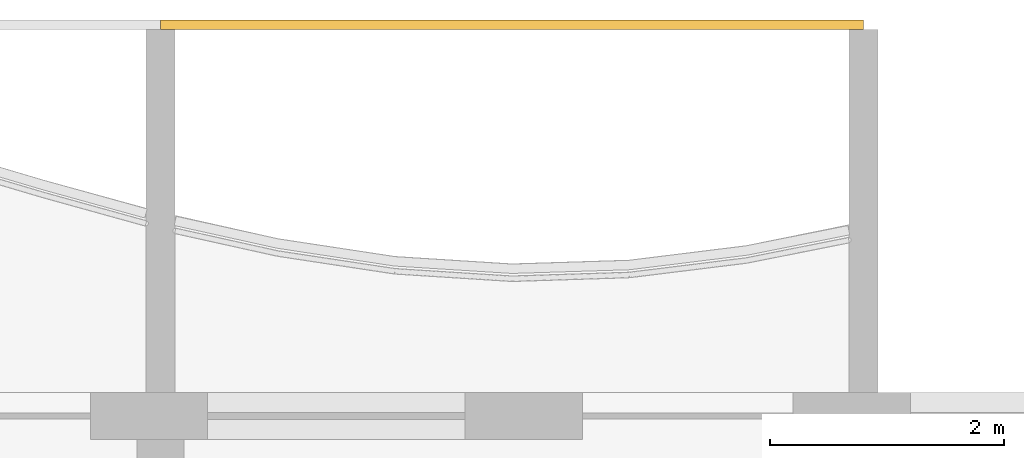
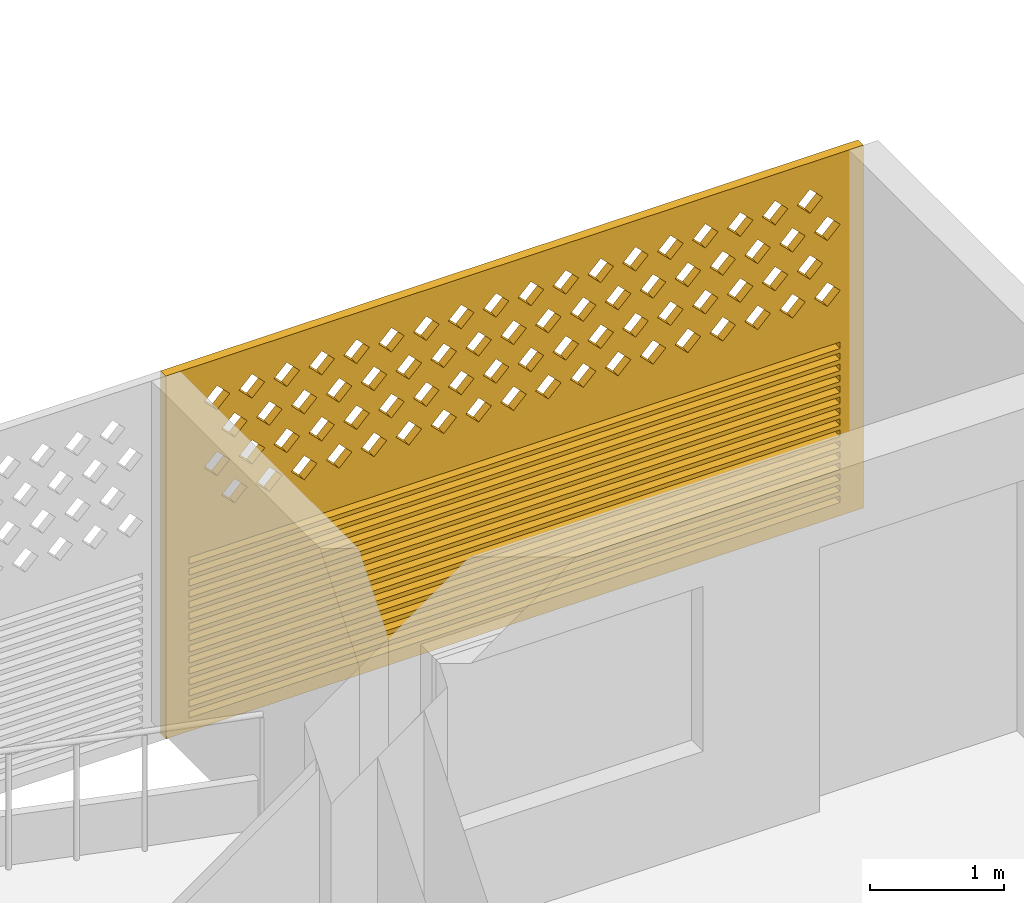
# One storey, part 23 of 40: 1 covering.
"""IFC4 building model written with IfcOpenShell, lengths in metres."""

from ifc_helpers import new_model, si_unit, direction, frame, origin, place, context, subcontext, project, spatial, polyline, outline, extrude, source, transform, mapped, material, material_profile, profile_set, type_object, element, save


model = new_model("IFC4")

# Units and contexts
model_context = context("Model", 3, precision=1e-05, world=origin(), true_north=direction((0.0, 1.0)))
body_context = subcontext(model_context, "Body", "Model", "MODEL_VIEW")
ifc_project = project(units=[si_unit("LENGTHUNIT", "METRE"), si_unit("AREAUNIT", "SQUARE_METRE"), si_unit("VOLUMEUNIT", "CUBIC_METRE"), si_unit("PLANEANGLEUNIT", "RADIAN"), si_unit("MASSUNIT", "GRAM", prefix="KILO")], contexts=[model_context])

# Site, building, storey
site_placement = place(None, origin())
site = spatial("IfcSite", under=ifc_project, at=site_placement, CompositionType="ELEMENT")
building_placement = place(site_placement, origin())
building = spatial("IfcBuilding", under=site, at=building_placement, Name="Poui Terraces", CompositionType="ELEMENT")
storey_placement = place(building_placement, frame((0.0, 0.0, 39.89990234375)))
storey = spatial("IfcBuildingStorey", under=building, at=storey_placement, Name="L10", CompositionType="ELEMENT", Elevation=39.89990234375)

# Covering
ifc_material = material(Name="Terracotta screen", Category="masonry")
ifc_material_profile = material_profile(ifc_material, outline(polyline([(-3.0, -1.64990234375), (3.0, -1.64990234375), (3.0, 1.64990234375), (-3.0, 1.64990234375), (-3.0, -1.64990234375)]), holes=[polyline([(-2.800048828125, 0.39990234375), (-2.68994140625, 0.2900390625), (-2.580078125, 0.39990234375), (-2.68994140625, 0.510009765625), (-2.800048828125, 0.39990234375)]), polyline([(-2.5, 0.39990234375), (-2.389892578125, 0.2900390625), (-2.280029296875, 0.39990234375), (-2.389892578125, 0.510009765625), (-2.5, 0.39990234375)]), polyline([(-2.199951171875, 0.39990234375), (-2.090087890625, 0.2900390625), (-1.97998046875, 0.39990234375), (-2.090087890625, 0.510009765625), (-2.199951171875, 0.39990234375)]), polyline([(-1.89990234375, 0.39990234375), (-1.7900390625, 0.2900390625), (-1.679931640625, 0.39990234375), (-1.7900390625, 0.510009765625), (-1.89990234375, 0.39990234375)]), polyline([(-1.60009765625, 0.39990234375), (-1.489990234375, 0.2900390625), (-1.3798828125, 0.39990234375), (-1.489990234375, 0.510009765625), (-1.60009765625, 0.39990234375)]), polyline([(-1.300048828125, 0.39990234375), (-1.18994140625, 0.2900390625), (-1.080078125, 0.39990234375), (-1.18994140625, 0.510009765625), (-1.300048828125, 0.39990234375)]), polyline([(-1.0, 0.39990234375), (-0.889892578125, 0.2900390625), (-0.780029296875, 0.39990234375), (-0.889892578125, 0.510009765625), (-1.0, 0.39990234375)]), polyline([(-0.699951171875, 0.39990234375), (-0.590087890625, 0.2900390625), (-0.47998046875, 0.39990234375), (-0.590087890625, 0.510009765625), (-0.699951171875, 0.39990234375)]), polyline([(-0.39990234375, 0.39990234375), (-0.2900390625, 0.2900390625), (-0.179931640625, 0.39990234375), (-0.2900390625, 0.510009765625), (-0.39990234375, 0.39990234375)]), polyline([(-0.10009765625, 0.39990234375), (0.010009765625, 0.2900390625), (0.1201171875, 0.39990234375), (0.010009765625, 0.510009765625), (-0.10009765625, 0.39990234375)]), polyline([(0.199951171875, 0.39990234375), (0.31005859375, 0.2900390625), (0.419921875, 0.39990234375), (0.31005859375, 0.510009765625), (0.199951171875, 0.39990234375)]), polyline([(0.5, 0.39990234375), (0.610107421875, 0.2900390625), (0.719970703125, 0.39990234375), (0.610107421875, 0.510009765625), (0.5, 0.39990234375)]), polyline([(0.800048828125, 0.39990234375), (0.909912109375, 0.2900390625), (1.02001953125, 0.39990234375), (0.909912109375, 0.510009765625), (0.800048828125, 0.39990234375)]), polyline([(1.10009765625, 0.39990234375), (1.2099609375, 0.2900390625), (1.320068359375, 0.39990234375), (1.2099609375, 0.510009765625), (1.10009765625, 0.39990234375)]), polyline([(1.39990234375, 0.39990234375), (1.510009765625, 0.2900390625), (1.6201171875, 0.39990234375), (1.510009765625, 0.510009765625), (1.39990234375, 0.39990234375)]), polyline([(1.699951171875, 0.39990234375), (1.81005859375, 0.2900390625), (1.919921875, 0.39990234375), (1.81005859375, 0.510009765625), (1.699951171875, 0.39990234375)]), polyline([(2.0, 0.39990234375), (2.110107421875, 0.2900390625), (2.219970703125, 0.39990234375), (2.110107421875, 0.510009765625), (2.0, 0.39990234375)]), polyline([(2.300048828125, 0.39990234375), (2.409912109375, 0.2900390625), (2.52001953125, 0.39990234375), (2.409912109375, 0.510009765625), (2.300048828125, 0.39990234375)]), polyline([(-2.64990234375, 0.699951171875), (-2.5400390625, 0.590087890625), (-2.429931640625, 0.699951171875), (-2.5400390625, 0.81005859375), (-2.64990234375, 0.699951171875)]), polyline([(-2.35009765625, 0.699951171875), (-2.239990234375, 0.590087890625), (-2.1298828125, 0.699951171875), (-2.239990234375, 0.81005859375), (-2.35009765625, 0.699951171875)]), polyline([(-2.050048828125, 0.699951171875), (-1.93994140625, 0.590087890625), (-1.830078125, 0.699951171875), (-1.93994140625, 0.81005859375), (-2.050048828125, 0.699951171875)]), polyline([(-1.75, 0.699951171875), (-1.639892578125, 0.590087890625), (-1.530029296875, 0.699951171875), (-1.639892578125, 0.81005859375), (-1.75, 0.699951171875)]), polyline([(-1.449951171875, 0.699951171875), (-1.340087890625, 0.590087890625), (-1.22998046875, 0.699951171875), (-1.340087890625, 0.81005859375), (-1.449951171875, 0.699951171875)]), polyline([(-1.14990234375, 0.699951171875), (-1.0400390625, 0.590087890625), (-0.929931640625, 0.699951171875), (-1.0400390625, 0.81005859375), (-1.14990234375, 0.699951171875)]), polyline([(-0.85009765625, 0.699951171875), (-0.739990234375, 0.590087890625), (-0.6298828125, 0.699951171875), (-0.739990234375, 0.81005859375), (-0.85009765625, 0.699951171875)]), polyline([(-0.550048828125, 0.699951171875), (-0.43994140625, 0.590087890625), (-0.330078125, 0.699951171875), (-0.43994140625, 0.81005859375), (-0.550048828125, 0.699951171875)]), polyline([(-0.25, 0.699951171875), (-0.139892578125, 0.590087890625), (-0.030029296875, 0.699951171875), (-0.139892578125, 0.81005859375), (-0.25, 0.699951171875)]), polyline([(0.050048828125, 0.699951171875), (0.159912109375, 0.590087890625), (0.27001953125, 0.699951171875), (0.159912109375, 0.81005859375), (0.050048828125, 0.699951171875)]), polyline([(0.35009765625, 0.699951171875), (0.4599609375, 0.590087890625), (0.570068359375, 0.699951171875), (0.4599609375, 0.81005859375), (0.35009765625, 0.699951171875)]), polyline([(0.64990234375, 0.699951171875), (0.760009765625, 0.590087890625), (0.8701171875, 0.699951171875), (0.760009765625, 0.81005859375), (0.64990234375, 0.699951171875)]), polyline([(0.949951171875, 0.699951171875), (1.06005859375, 0.590087890625), (1.169921875, 0.699951171875), (1.06005859375, 0.81005859375), (0.949951171875, 0.699951171875)]), polyline([(1.25, 0.699951171875), (1.360107421875, 0.590087890625), (1.469970703125, 0.699951171875), (1.360107421875, 0.81005859375), (1.25, 0.699951171875)]), polyline([(1.550048828125, 0.699951171875), (1.659912109375, 0.590087890625), (1.77001953125, 0.699951171875), (1.659912109375, 0.81005859375), (1.550048828125, 0.699951171875)]), polyline([(1.85009765625, 0.699951171875), (1.9599609375, 0.590087890625), (2.070068359375, 0.699951171875), (1.9599609375, 0.81005859375), (1.85009765625, 0.699951171875)]), polyline([(2.14990234375, 0.699951171875), (2.260009765625, 0.590087890625), (2.3701171875, 0.699951171875), (2.260009765625, 0.81005859375), (2.14990234375, 0.699951171875)]), polyline([(2.449951171875, 0.699951171875), (2.56005859375, 0.590087890625), (2.669921875, 0.699951171875), (2.56005859375, 0.81005859375), (2.449951171875, 0.699951171875)]), polyline([(-2.800048828125, 1.0), (-2.68994140625, 0.889892578125), (-2.580078125, 1.0), (-2.68994140625, 1.110107421875), (-2.800048828125, 1.0)]), polyline([(-2.5, 1.0), (-2.389892578125, 0.889892578125), (-2.280029296875, 1.0), (-2.389892578125, 1.110107421875), (-2.5, 1.0)]), polyline([(-2.199951171875, 1.0), (-2.090087890625, 0.889892578125), (-1.97998046875, 1.0), (-2.090087890625, 1.110107421875), (-2.199951171875, 1.0)]), polyline([(-1.89990234375, 1.0), (-1.7900390625, 0.889892578125), (-1.679931640625, 1.0), (-1.7900390625, 1.110107421875), (-1.89990234375, 1.0)]), polyline([(-1.60009765625, 1.0), (-1.489990234375, 0.889892578125), (-1.3798828125, 1.0), (-1.489990234375, 1.110107421875), (-1.60009765625, 1.0)]), polyline([(-1.300048828125, 1.0), (-1.18994140625, 0.889892578125), (-1.080078125, 1.0), (-1.18994140625, 1.110107421875), (-1.300048828125, 1.0)]), polyline([(-1.0, 1.0), (-0.889892578125, 0.889892578125), (-0.780029296875, 1.0), (-0.889892578125, 1.110107421875), (-1.0, 1.0)]), polyline([(-0.699951171875, 1.0), (-0.590087890625, 0.889892578125), (-0.47998046875, 1.0), (-0.590087890625, 1.110107421875), (-0.699951171875, 1.0)]), polyline([(-0.39990234375, 1.0), (-0.2900390625, 0.889892578125), (-0.179931640625, 1.0), (-0.2900390625, 1.110107421875), (-0.39990234375, 1.0)]), polyline([(-0.10009765625, 1.0), (0.010009765625, 0.889892578125), (0.1201171875, 1.0), (0.010009765625, 1.110107421875), (-0.10009765625, 1.0)]), polyline([(0.199951171875, 1.0), (0.31005859375, 0.889892578125), (0.419921875, 1.0), (0.31005859375, 1.110107421875), (0.199951171875, 1.0)]), polyline([(0.5, 1.0), (0.610107421875, 0.889892578125), (0.719970703125, 1.0), (0.610107421875, 1.110107421875), (0.5, 1.0)]), polyline([(0.800048828125, 1.0), (0.909912109375, 0.889892578125), (1.02001953125, 1.0), (0.909912109375, 1.110107421875), (0.800048828125, 1.0)]), polyline([(1.10009765625, 1.0), (1.2099609375, 0.889892578125), (1.320068359375, 1.0), (1.2099609375, 1.110107421875), (1.10009765625, 1.0)]), polyline([(1.39990234375, 1.0), (1.510009765625, 0.889892578125), (1.6201171875, 1.0), (1.510009765625, 1.110107421875), (1.39990234375, 1.0)]), polyline([(1.699951171875, 1.0), (1.81005859375, 0.889892578125), (1.919921875, 1.0), (1.81005859375, 1.110107421875), (1.699951171875, 1.0)]), polyline([(2.0, 1.0), (2.110107421875, 0.889892578125), (2.219970703125, 1.0), (2.110107421875, 1.110107421875), (2.0, 1.0)]), polyline([(2.300048828125, 1.0), (2.409912109375, 0.889892578125), (2.52001953125, 1.0), (2.409912109375, 1.110107421875), (2.300048828125, 1.0)]), polyline([(-2.64990234375, 1.300048828125), (-2.5400390625, 1.18994140625), (-2.429931640625, 1.300048828125), (-2.5400390625, 1.409912109375), (-2.64990234375, 1.300048828125)]), polyline([(-2.35009765625, 1.300048828125), (-2.239990234375, 1.18994140625), (-2.1298828125, 1.300048828125), (-2.239990234375, 1.409912109375), (-2.35009765625, 1.300048828125)]), polyline([(-2.050048828125, 1.300048828125), (-1.93994140625, 1.18994140625), (-1.830078125, 1.300048828125), (-1.93994140625, 1.409912109375), (-2.050048828125, 1.300048828125)]), polyline([(-1.75, 1.300048828125), (-1.639892578125, 1.18994140625), (-1.530029296875, 1.300048828125), (-1.639892578125, 1.409912109375), (-1.75, 1.300048828125)]), polyline([(-1.449951171875, 1.300048828125), (-1.340087890625, 1.18994140625), (-1.22998046875, 1.300048828125), (-1.340087890625, 1.409912109375), (-1.449951171875, 1.300048828125)]), polyline([(-1.14990234375, 1.300048828125), (-1.0400390625, 1.18994140625), (-0.929931640625, 1.300048828125), (-1.0400390625, 1.409912109375), (-1.14990234375, 1.300048828125)]), polyline([(-0.85009765625, 1.300048828125), (-0.739990234375, 1.18994140625), (-0.6298828125, 1.300048828125), (-0.739990234375, 1.409912109375), (-0.85009765625, 1.300048828125)]), polyline([(-0.550048828125, 1.300048828125), (-0.43994140625, 1.18994140625), (-0.330078125, 1.300048828125), (-0.43994140625, 1.409912109375), (-0.550048828125, 1.300048828125)]), polyline([(-0.25, 1.300048828125), (-0.139892578125, 1.18994140625), (-0.030029296875, 1.300048828125), (-0.139892578125, 1.409912109375), (-0.25, 1.300048828125)]), polyline([(0.050048828125, 1.300048828125), (0.159912109375, 1.18994140625), (0.27001953125, 1.300048828125), (0.159912109375, 1.409912109375), (0.050048828125, 1.300048828125)]), polyline([(0.35009765625, 1.300048828125), (0.4599609375, 1.18994140625), (0.570068359375, 1.300048828125), (0.4599609375, 1.409912109375), (0.35009765625, 1.300048828125)]), polyline([(0.64990234375, 1.300048828125), (0.760009765625, 1.18994140625), (0.8701171875, 1.300048828125), (0.760009765625, 1.409912109375), (0.64990234375, 1.300048828125)]), polyline([(0.949951171875, 1.300048828125), (1.06005859375, 1.18994140625), (1.169921875, 1.300048828125), (1.06005859375, 1.409912109375), (0.949951171875, 1.300048828125)]), polyline([(1.25, 1.300048828125), (1.360107421875, 1.18994140625), (1.469970703125, 1.300048828125), (1.360107421875, 1.409912109375), (1.25, 1.300048828125)]), polyline([(1.550048828125, 1.300048828125), (1.659912109375, 1.18994140625), (1.77001953125, 1.300048828125), (1.659912109375, 1.409912109375), (1.550048828125, 1.300048828125)]), polyline([(1.85009765625, 1.300048828125), (1.9599609375, 1.18994140625), (2.070068359375, 1.300048828125), (1.9599609375, 1.409912109375), (1.85009765625, 1.300048828125)]), polyline([(2.14990234375, 1.300048828125), (2.260009765625, 1.18994140625), (2.3701171875, 1.300048828125), (2.260009765625, 1.409912109375), (2.14990234375, 1.300048828125)]), polyline([(2.449951171875, 1.300048828125), (2.56005859375, 1.18994140625), (2.669921875, 1.300048828125), (2.56005859375, 1.409912109375), (2.449951171875, 1.300048828125)]), polyline([(-2.800048828125, -1.530029296875), (2.800048828125, -1.530029296875), (2.800048828125, -1.469970703125), (-2.800048828125, -1.469970703125), (-2.800048828125, -1.530029296875)]), polyline([(-2.800048828125, -1.429931640625), (2.800048828125, -1.429931640625), (2.800048828125, -1.3701171875), (-2.800048828125, -1.3701171875), (-2.800048828125, -1.429931640625)]), polyline([(-2.800048828125, -1.330078125), (2.800048828125, -1.330078125), (2.800048828125, -1.27001953125), (-2.800048828125, -1.27001953125), (-2.800048828125, -1.330078125)]), polyline([(-2.800048828125, -1.22998046875), (2.800048828125, -1.22998046875), (2.800048828125, -1.169921875), (-2.800048828125, -1.169921875), (-2.800048828125, -1.22998046875)]), polyline([(-2.800048828125, -1.1298828125), (2.800048828125, -1.1298828125), (2.800048828125, -1.070068359375), (-2.800048828125, -1.070068359375), (-2.800048828125, -1.1298828125)]), polyline([(-2.800048828125, -1.030029296875), (2.800048828125, -1.030029296875), (2.800048828125, -0.969970703125), (-2.800048828125, -0.969970703125), (-2.800048828125, -1.030029296875)]), polyline([(-2.800048828125, -0.929931640625), (2.800048828125, -0.929931640625), (2.800048828125, -0.8701171875), (-2.800048828125, -0.8701171875), (-2.800048828125, -0.929931640625)]), polyline([(-2.800048828125, -0.830078125), (2.800048828125, -0.830078125), (2.800048828125, -0.77001953125), (-2.800048828125, -0.77001953125), (-2.800048828125, -0.830078125)]), polyline([(-2.800048828125, -0.72998046875), (2.800048828125, -0.72998046875), (2.800048828125, -0.669921875), (-2.800048828125, -0.669921875), (-2.800048828125, -0.72998046875)]), polyline([(-2.800048828125, -0.6298828125), (2.800048828125, -0.6298828125), (2.800048828125, -0.570068359375), (-2.800048828125, -0.570068359375), (-2.800048828125, -0.6298828125)]), polyline([(-2.800048828125, -0.530029296875), (2.800048828125, -0.530029296875), (2.800048828125, -0.469970703125), (-2.800048828125, -0.469970703125), (-2.800048828125, -0.530029296875)]), polyline([(-2.800048828125, -0.429931640625), (2.800048828125, -0.429931640625), (2.800048828125, -0.3701171875), (-2.800048828125, -0.3701171875), (-2.800048828125, -0.429931640625)]), polyline([(-2.800048828125, -0.330078125), (2.800048828125, -0.330078125), (2.800048828125, -0.27001953125), (-2.800048828125, -0.27001953125), (-2.800048828125, -0.330078125)]), polyline([(-2.800048828125, -0.22998046875), (2.800048828125, -0.22998046875), (2.800048828125, -0.169921875), (-2.800048828125, -0.169921875), (-2.800048828125, -0.22998046875)]), polyline([(-2.800048828125, -0.1298828125), (2.800048828125, -0.1298828125), (2.800048828125, -0.070068359375), (-2.800048828125, -0.070068359375), (-2.800048828125, -0.1298828125)])]), Name="TERRACOTTA SCREEN AND JALOUSIE LOUVRE 6000X3300")
ifc_profile_set = profile_set([ifc_material_profile], Name="Terracotta screen")
covering_type = type_object("IfcCoveringType", Name="TERRACOTTA SCREEN AND JALOUSIE LOUVRE 6000X3300", PredefinedType="CLADDING", material=ifc_profile_set)
shared_shape = source(origin(), body_context, "Body", "SweptSolid", [
    extrude(outline(polyline([(-3.0, -1.64990234375), (3.0, -1.64990234375), (3.0, 1.64990234375), (-3.0, 1.64990234375), (-3.0, -1.64990234375)]), holes=[polyline([(-2.800048828125, 0.39990234375), (-2.68994140625, 0.2900390625), (-2.580078125, 0.39990234375), (-2.68994140625, 0.510009765625), (-2.800048828125, 0.39990234375)]), polyline([(-2.5, 0.39990234375), (-2.389892578125, 0.2900390625), (-2.280029296875, 0.39990234375), (-2.389892578125, 0.510009765625), (-2.5, 0.39990234375)]), polyline([(-2.199951171875, 0.39990234375), (-2.090087890625, 0.2900390625), (-1.97998046875, 0.39990234375), (-2.090087890625, 0.510009765625), (-2.199951171875, 0.39990234375)]), polyline([(-1.89990234375, 0.39990234375), (-1.7900390625, 0.2900390625), (-1.679931640625, 0.39990234375), (-1.7900390625, 0.510009765625), (-1.89990234375, 0.39990234375)]), polyline([(-1.60009765625, 0.39990234375), (-1.489990234375, 0.2900390625), (-1.3798828125, 0.39990234375), (-1.489990234375, 0.510009765625), (-1.60009765625, 0.39990234375)]), polyline([(-1.300048828125, 0.39990234375), (-1.18994140625, 0.2900390625), (-1.080078125, 0.39990234375), (-1.18994140625, 0.510009765625), (-1.300048828125, 0.39990234375)]), polyline([(-1.0, 0.39990234375), (-0.889892578125, 0.2900390625), (-0.780029296875, 0.39990234375), (-0.889892578125, 0.510009765625), (-1.0, 0.39990234375)]), polyline([(-0.699951171875, 0.39990234375), (-0.590087890625, 0.2900390625), (-0.47998046875, 0.39990234375), (-0.590087890625, 0.510009765625), (-0.699951171875, 0.39990234375)]), polyline([(-0.39990234375, 0.39990234375), (-0.2900390625, 0.2900390625), (-0.179931640625, 0.39990234375), (-0.2900390625, 0.510009765625), (-0.39990234375, 0.39990234375)]), polyline([(-0.10009765625, 0.39990234375), (0.010009765625, 0.2900390625), (0.1201171875, 0.39990234375), (0.010009765625, 0.510009765625), (-0.10009765625, 0.39990234375)]), polyline([(0.199951171875, 0.39990234375), (0.31005859375, 0.2900390625), (0.419921875, 0.39990234375), (0.31005859375, 0.510009765625), (0.199951171875, 0.39990234375)]), polyline([(0.5, 0.39990234375), (0.610107421875, 0.2900390625), (0.719970703125, 0.39990234375), (0.610107421875, 0.510009765625), (0.5, 0.39990234375)]), polyline([(0.800048828125, 0.39990234375), (0.909912109375, 0.2900390625), (1.02001953125, 0.39990234375), (0.909912109375, 0.510009765625), (0.800048828125, 0.39990234375)]), polyline([(1.10009765625, 0.39990234375), (1.2099609375, 0.2900390625), (1.320068359375, 0.39990234375), (1.2099609375, 0.510009765625), (1.10009765625, 0.39990234375)]), polyline([(1.39990234375, 0.39990234375), (1.510009765625, 0.2900390625), (1.6201171875, 0.39990234375), (1.510009765625, 0.510009765625), (1.39990234375, 0.39990234375)]), polyline([(1.699951171875, 0.39990234375), (1.81005859375, 0.2900390625), (1.919921875, 0.39990234375), (1.81005859375, 0.510009765625), (1.699951171875, 0.39990234375)]), polyline([(2.0, 0.39990234375), (2.110107421875, 0.2900390625), (2.219970703125, 0.39990234375), (2.110107421875, 0.510009765625), (2.0, 0.39990234375)]), polyline([(2.300048828125, 0.39990234375), (2.409912109375, 0.2900390625), (2.52001953125, 0.39990234375), (2.409912109375, 0.510009765625), (2.300048828125, 0.39990234375)]), polyline([(-2.64990234375, 0.699951171875), (-2.5400390625, 0.590087890625), (-2.429931640625, 0.699951171875), (-2.5400390625, 0.81005859375), (-2.64990234375, 0.699951171875)]), polyline([(-2.35009765625, 0.699951171875), (-2.239990234375, 0.590087890625), (-2.1298828125, 0.699951171875), (-2.239990234375, 0.81005859375), (-2.35009765625, 0.699951171875)]), polyline([(-2.050048828125, 0.699951171875), (-1.93994140625, 0.590087890625), (-1.830078125, 0.699951171875), (-1.93994140625, 0.81005859375), (-2.050048828125, 0.699951171875)]), polyline([(-1.75, 0.699951171875), (-1.639892578125, 0.590087890625), (-1.530029296875, 0.699951171875), (-1.639892578125, 0.81005859375), (-1.75, 0.699951171875)]), polyline([(-1.449951171875, 0.699951171875), (-1.340087890625, 0.590087890625), (-1.22998046875, 0.699951171875), (-1.340087890625, 0.81005859375), (-1.449951171875, 0.699951171875)]), polyline([(-1.14990234375, 0.699951171875), (-1.0400390625, 0.590087890625), (-0.929931640625, 0.699951171875), (-1.0400390625, 0.81005859375), (-1.14990234375, 0.699951171875)]), polyline([(-0.85009765625, 0.699951171875), (-0.739990234375, 0.590087890625), (-0.6298828125, 0.699951171875), (-0.739990234375, 0.81005859375), (-0.85009765625, 0.699951171875)]), polyline([(-0.550048828125, 0.699951171875), (-0.43994140625, 0.590087890625), (-0.330078125, 0.699951171875), (-0.43994140625, 0.81005859375), (-0.550048828125, 0.699951171875)]), polyline([(-0.25, 0.699951171875), (-0.139892578125, 0.590087890625), (-0.030029296875, 0.699951171875), (-0.139892578125, 0.81005859375), (-0.25, 0.699951171875)]), polyline([(0.050048828125, 0.699951171875), (0.159912109375, 0.590087890625), (0.27001953125, 0.699951171875), (0.159912109375, 0.81005859375), (0.050048828125, 0.699951171875)]), polyline([(0.35009765625, 0.699951171875), (0.4599609375, 0.590087890625), (0.570068359375, 0.699951171875), (0.4599609375, 0.81005859375), (0.35009765625, 0.699951171875)]), polyline([(0.64990234375, 0.699951171875), (0.760009765625, 0.590087890625), (0.8701171875, 0.699951171875), (0.760009765625, 0.81005859375), (0.64990234375, 0.699951171875)]), polyline([(0.949951171875, 0.699951171875), (1.06005859375, 0.590087890625), (1.169921875, 0.699951171875), (1.06005859375, 0.81005859375), (0.949951171875, 0.699951171875)]), polyline([(1.25, 0.699951171875), (1.360107421875, 0.590087890625), (1.469970703125, 0.699951171875), (1.360107421875, 0.81005859375), (1.25, 0.699951171875)]), polyline([(1.550048828125, 0.699951171875), (1.659912109375, 0.590087890625), (1.77001953125, 0.699951171875), (1.659912109375, 0.81005859375), (1.550048828125, 0.699951171875)]), polyline([(1.85009765625, 0.699951171875), (1.9599609375, 0.590087890625), (2.070068359375, 0.699951171875), (1.9599609375, 0.81005859375), (1.85009765625, 0.699951171875)]), polyline([(2.14990234375, 0.699951171875), (2.260009765625, 0.590087890625), (2.3701171875, 0.699951171875), (2.260009765625, 0.81005859375), (2.14990234375, 0.699951171875)]), polyline([(2.449951171875, 0.699951171875), (2.56005859375, 0.590087890625), (2.669921875, 0.699951171875), (2.56005859375, 0.81005859375), (2.449951171875, 0.699951171875)]), polyline([(-2.800048828125, 1.0), (-2.68994140625, 0.889892578125), (-2.580078125, 1.0), (-2.68994140625, 1.110107421875), (-2.800048828125, 1.0)]), polyline([(-2.5, 1.0), (-2.389892578125, 0.889892578125), (-2.280029296875, 1.0), (-2.389892578125, 1.110107421875), (-2.5, 1.0)]), polyline([(-2.199951171875, 1.0), (-2.090087890625, 0.889892578125), (-1.97998046875, 1.0), (-2.090087890625, 1.110107421875), (-2.199951171875, 1.0)]), polyline([(-1.89990234375, 1.0), (-1.7900390625, 0.889892578125), (-1.679931640625, 1.0), (-1.7900390625, 1.110107421875), (-1.89990234375, 1.0)]), polyline([(-1.60009765625, 1.0), (-1.489990234375, 0.889892578125), (-1.3798828125, 1.0), (-1.489990234375, 1.110107421875), (-1.60009765625, 1.0)]), polyline([(-1.300048828125, 1.0), (-1.18994140625, 0.889892578125), (-1.080078125, 1.0), (-1.18994140625, 1.110107421875), (-1.300048828125, 1.0)]), polyline([(-1.0, 1.0), (-0.889892578125, 0.889892578125), (-0.780029296875, 1.0), (-0.889892578125, 1.110107421875), (-1.0, 1.0)]), polyline([(-0.699951171875, 1.0), (-0.590087890625, 0.889892578125), (-0.47998046875, 1.0), (-0.590087890625, 1.110107421875), (-0.699951171875, 1.0)]), polyline([(-0.39990234375, 1.0), (-0.2900390625, 0.889892578125), (-0.179931640625, 1.0), (-0.2900390625, 1.110107421875), (-0.39990234375, 1.0)]), polyline([(-0.10009765625, 1.0), (0.010009765625, 0.889892578125), (0.1201171875, 1.0), (0.010009765625, 1.110107421875), (-0.10009765625, 1.0)]), polyline([(0.199951171875, 1.0), (0.31005859375, 0.889892578125), (0.419921875, 1.0), (0.31005859375, 1.110107421875), (0.199951171875, 1.0)]), polyline([(0.5, 1.0), (0.610107421875, 0.889892578125), (0.719970703125, 1.0), (0.610107421875, 1.110107421875), (0.5, 1.0)]), polyline([(0.800048828125, 1.0), (0.909912109375, 0.889892578125), (1.02001953125, 1.0), (0.909912109375, 1.110107421875), (0.800048828125, 1.0)]), polyline([(1.10009765625, 1.0), (1.2099609375, 0.889892578125), (1.320068359375, 1.0), (1.2099609375, 1.110107421875), (1.10009765625, 1.0)]), polyline([(1.39990234375, 1.0), (1.510009765625, 0.889892578125), (1.6201171875, 1.0), (1.510009765625, 1.110107421875), (1.39990234375, 1.0)]), polyline([(1.699951171875, 1.0), (1.81005859375, 0.889892578125), (1.919921875, 1.0), (1.81005859375, 1.110107421875), (1.699951171875, 1.0)]), polyline([(2.0, 1.0), (2.110107421875, 0.889892578125), (2.219970703125, 1.0), (2.110107421875, 1.110107421875), (2.0, 1.0)]), polyline([(2.300048828125, 1.0), (2.409912109375, 0.889892578125), (2.52001953125, 1.0), (2.409912109375, 1.110107421875), (2.300048828125, 1.0)]), polyline([(-2.64990234375, 1.300048828125), (-2.5400390625, 1.18994140625), (-2.429931640625, 1.300048828125), (-2.5400390625, 1.409912109375), (-2.64990234375, 1.300048828125)]), polyline([(-2.35009765625, 1.300048828125), (-2.239990234375, 1.18994140625), (-2.1298828125, 1.300048828125), (-2.239990234375, 1.409912109375), (-2.35009765625, 1.300048828125)]), polyline([(-2.050048828125, 1.300048828125), (-1.93994140625, 1.18994140625), (-1.830078125, 1.300048828125), (-1.93994140625, 1.409912109375), (-2.050048828125, 1.300048828125)]), polyline([(-1.75, 1.300048828125), (-1.639892578125, 1.18994140625), (-1.530029296875, 1.300048828125), (-1.639892578125, 1.409912109375), (-1.75, 1.300048828125)]), polyline([(-1.449951171875, 1.300048828125), (-1.340087890625, 1.18994140625), (-1.22998046875, 1.300048828125), (-1.340087890625, 1.409912109375), (-1.449951171875, 1.300048828125)]), polyline([(-1.14990234375, 1.300048828125), (-1.0400390625, 1.18994140625), (-0.929931640625, 1.300048828125), (-1.0400390625, 1.409912109375), (-1.14990234375, 1.300048828125)]), polyline([(-0.85009765625, 1.300048828125), (-0.739990234375, 1.18994140625), (-0.6298828125, 1.300048828125), (-0.739990234375, 1.409912109375), (-0.85009765625, 1.300048828125)]), polyline([(-0.550048828125, 1.300048828125), (-0.43994140625, 1.18994140625), (-0.330078125, 1.300048828125), (-0.43994140625, 1.409912109375), (-0.550048828125, 1.300048828125)]), polyline([(-0.25, 1.300048828125), (-0.139892578125, 1.18994140625), (-0.030029296875, 1.300048828125), (-0.139892578125, 1.409912109375), (-0.25, 1.300048828125)]), polyline([(0.050048828125, 1.300048828125), (0.159912109375, 1.18994140625), (0.27001953125, 1.300048828125), (0.159912109375, 1.409912109375), (0.050048828125, 1.300048828125)]), polyline([(0.35009765625, 1.300048828125), (0.4599609375, 1.18994140625), (0.570068359375, 1.300048828125), (0.4599609375, 1.409912109375), (0.35009765625, 1.300048828125)]), polyline([(0.64990234375, 1.300048828125), (0.760009765625, 1.18994140625), (0.8701171875, 1.300048828125), (0.760009765625, 1.409912109375), (0.64990234375, 1.300048828125)]), polyline([(0.949951171875, 1.300048828125), (1.06005859375, 1.18994140625), (1.169921875, 1.300048828125), (1.06005859375, 1.409912109375), (0.949951171875, 1.300048828125)]), polyline([(1.25, 1.300048828125), (1.360107421875, 1.18994140625), (1.469970703125, 1.300048828125), (1.360107421875, 1.409912109375), (1.25, 1.300048828125)]), polyline([(1.550048828125, 1.300048828125), (1.659912109375, 1.18994140625), (1.77001953125, 1.300048828125), (1.659912109375, 1.409912109375), (1.550048828125, 1.300048828125)]), polyline([(1.85009765625, 1.300048828125), (1.9599609375, 1.18994140625), (2.070068359375, 1.300048828125), (1.9599609375, 1.409912109375), (1.85009765625, 1.300048828125)]), polyline([(2.14990234375, 1.300048828125), (2.260009765625, 1.18994140625), (2.3701171875, 1.300048828125), (2.260009765625, 1.409912109375), (2.14990234375, 1.300048828125)]), polyline([(2.449951171875, 1.300048828125), (2.56005859375, 1.18994140625), (2.669921875, 1.300048828125), (2.56005859375, 1.409912109375), (2.449951171875, 1.300048828125)]), polyline([(-2.800048828125, -1.530029296875), (2.800048828125, -1.530029296875), (2.800048828125, -1.469970703125), (-2.800048828125, -1.469970703125), (-2.800048828125, -1.530029296875)]), polyline([(-2.800048828125, -1.429931640625), (2.800048828125, -1.429931640625), (2.800048828125, -1.3701171875), (-2.800048828125, -1.3701171875), (-2.800048828125, -1.429931640625)]), polyline([(-2.800048828125, -1.330078125), (2.800048828125, -1.330078125), (2.800048828125, -1.27001953125), (-2.800048828125, -1.27001953125), (-2.800048828125, -1.330078125)]), polyline([(-2.800048828125, -1.22998046875), (2.800048828125, -1.22998046875), (2.800048828125, -1.169921875), (-2.800048828125, -1.169921875), (-2.800048828125, -1.22998046875)]), polyline([(-2.800048828125, -1.1298828125), (2.800048828125, -1.1298828125), (2.800048828125, -1.070068359375), (-2.800048828125, -1.070068359375), (-2.800048828125, -1.1298828125)]), polyline([(-2.800048828125, -1.030029296875), (2.800048828125, -1.030029296875), (2.800048828125, -0.969970703125), (-2.800048828125, -0.969970703125), (-2.800048828125, -1.030029296875)]), polyline([(-2.800048828125, -0.929931640625), (2.800048828125, -0.929931640625), (2.800048828125, -0.8701171875), (-2.800048828125, -0.8701171875), (-2.800048828125, -0.929931640625)]), polyline([(-2.800048828125, -0.830078125), (2.800048828125, -0.830078125), (2.800048828125, -0.77001953125), (-2.800048828125, -0.77001953125), (-2.800048828125, -0.830078125)]), polyline([(-2.800048828125, -0.72998046875), (2.800048828125, -0.72998046875), (2.800048828125, -0.669921875), (-2.800048828125, -0.669921875), (-2.800048828125, -0.72998046875)]), polyline([(-2.800048828125, -0.6298828125), (2.800048828125, -0.6298828125), (2.800048828125, -0.570068359375), (-2.800048828125, -0.570068359375), (-2.800048828125, -0.6298828125)]), polyline([(-2.800048828125, -0.530029296875), (2.800048828125, -0.530029296875), (2.800048828125, -0.469970703125), (-2.800048828125, -0.469970703125), (-2.800048828125, -0.530029296875)]), polyline([(-2.800048828125, -0.429931640625), (2.800048828125, -0.429931640625), (2.800048828125, -0.3701171875), (-2.800048828125, -0.3701171875), (-2.800048828125, -0.429931640625)]), polyline([(-2.800048828125, -0.330078125), (2.800048828125, -0.330078125), (2.800048828125, -0.27001953125), (-2.800048828125, -0.27001953125), (-2.800048828125, -0.330078125)]), polyline([(-2.800048828125, -0.22998046875), (2.800048828125, -0.22998046875), (2.800048828125, -0.169921875), (-2.800048828125, -0.169921875), (-2.800048828125, -0.22998046875)]), polyline([(-2.800048828125, -0.1298828125), (2.800048828125, -0.1298828125), (2.800048828125, -0.070068359375), (-2.800048828125, -0.070068359375), (-2.800048828125, -0.1298828125)])]), origin(), (0.0, 0.0, 1.0), 0.079833984375),
])
covering_placement = place(storey_placement, frame((15.0, 48.10009765625, 1.4501953125), z_axis=(0.0, 1.0, 0.0), x_axis=(-1.0, 0.0, 0.0)))
element("IfcCovering", 1, at=covering_placement, inside=storey, type_object=covering_type, Name="SOLAR SCREEN AND JALOUSIE LOUVRE", PredefinedType="CLADDING", context=body_context, shape_type="MappedRepresentation", body=[
    mapped(shared_shape, transform((0.0, 0.0, 0.0))),
])

save(model, "model.ifc")
